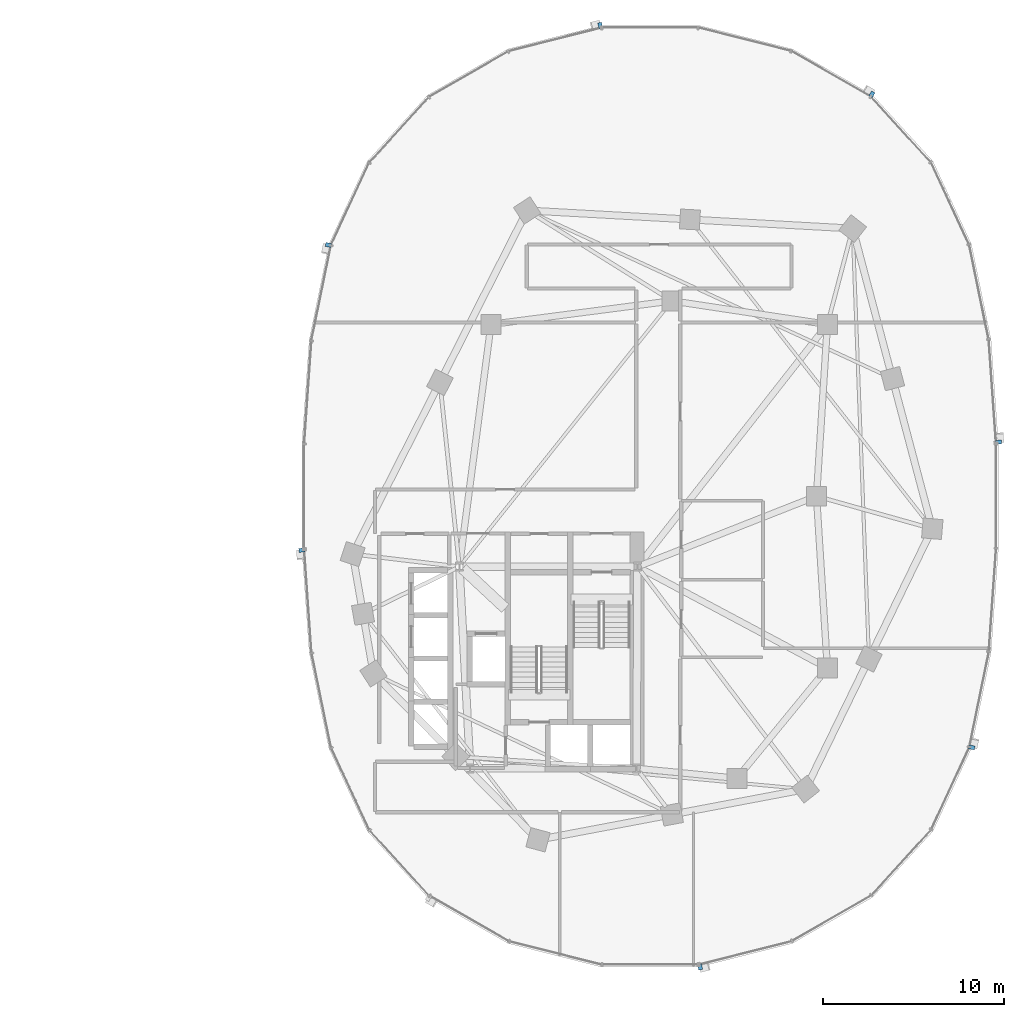
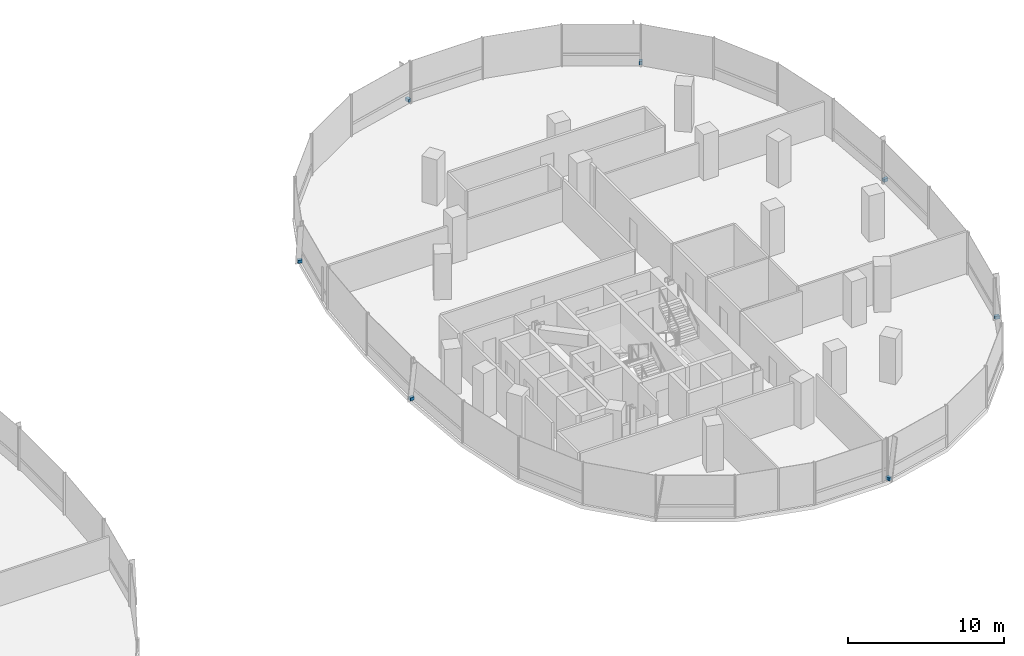
# One storey, part 16 of 21: 7 discrete accessories.
"""IFC4 building model written with IfcOpenShell, lengths in metres."""

import ifcopenshell
import ifcopenshell.guid

model = None  # the IFC model being written
_history = None  # IfcOwnerHistory: only IFC2X3 demands one
_inside = {}  # id of a spatial element -> (the spatial element, [elements in it])
_under = {}  # id of a project, library or spatial element -> (it, [spatial elements below it])
_declared = {}  # id of a project -> (the project, [libraries it declares])
_typed = {}  # id of a type object -> (the type object, [elements of that type])
_made_of = {}  # id of a material, layer set ... -> (it, [elements and type objects made of it])


def new_model(schema):
    """Start an empty IFC model of exactly this schema.

    Asked for "IFC4X3", IfcOpenShell would pick the latest addendum, in which some entities
    have other attributes; the version numbers below select the first issue.
    IFC2X3 requires an IfcOwnerHistory on every rooted entity: one is made here for all.
    """
    global model, _history
    if schema == "IFC4X3":
        model = ifcopenshell.file(schema_version=(4, 3, 0, 0))
    else:
        model = ifcopenshell.file(schema=schema)
    _inside.clear()
    _under.clear()
    _declared.clear()
    _typed.clear()
    _made_of.clear()
    _history = None
    if model.schema == "IFC2X3":
        org = make("IfcOrganization", Name="unknown")
        user = make(
            "IfcPersonAndOrganization",
            ThePerson=make("IfcPerson", FamilyName="unknown"),
            TheOrganization=org,
        )
        app = make(
            "IfcApplication",
            ApplicationDeveloper=org,
            Version="unknown",
            ApplicationFullName="unknown",
            ApplicationIdentifier="unknown",
        )
        _history = make(
            "IfcOwnerHistory",
            OwningUser=user,
            OwningApplication=app,
            ChangeAction="ADDED",
            CreationDate=0,
        )
    return model


def make(cls, **values):
    """One entity of the class cls with the attributes given. An attribute that is None is left unset."""
    return model.create_entity(
        cls, **{name: value for name, value in values.items() if value is not None}
    )


def rooted(cls, **values):
    """An entity with a GlobalId (a new one), such as an element, a storey or a relation."""
    return make(cls, GlobalId=ifcopenshell.guid.new(), OwnerHistory=_history, **values)


def si_unit(unit_type, name, prefix=None):
    """IfcSIUnit, for example si_unit("LENGTHUNIT", "METRE", prefix="MILLI")."""
    return make("IfcSIUnit", UnitType=unit_type, Prefix=prefix, Name=name)


def assignment(units):
    """IfcUnitAssignment: the units of a project."""
    return None if units is None else make("IfcUnitAssignment", Units=units)


def point(xyz):
    """IfcCartesianPoint."""
    return None if xyz is None else make("IfcCartesianPoint", Coordinates=xyz)


def direction(xyz):
    """IfcDirection."""
    return None if xyz is None else make("IfcDirection", DirectionRatios=xyz)


def frame(location, z_axis=None, x_axis=None):
    """IfcAxis2Placement3D, a coordinate frame: its origin and axes. An axis left out is left unset."""
    return make(
        "IfcAxis2Placement3D",
        Location=point(location),
        Axis=direction(z_axis),
        RefDirection=direction(x_axis),
    )


def frame_2d(location, x_axis=None):
    """IfcAxis2Placement2D, a coordinate frame in the plane: its origin and x axis."""
    return make(
        "IfcAxis2Placement2D", Location=point(location), RefDirection=direction(x_axis)
    )


def origin():
    """The frame at (0, 0, 0) with its axes left unset."""
    return frame((0.0, 0.0, 0.0))


def origin_2d():
    """The frame at (0, 0) in the plane with its x axis left unset."""
    return frame_2d((0.0, 0.0))


def place(relative_to, where):
    """IfcLocalPlacement: puts the frame where relative to a parent placement (None: the world)."""
    return make(
        "IfcLocalPlacement", PlacementRelTo=relative_to, RelativePlacement=where
    )


def context(
    kind, dimensions, precision=None, world=None, true_north=None, identifier=None
):
    """IfcGeometricRepresentationContext, for example the 3D "Model" context."""
    return make(
        "IfcGeometricRepresentationContext",
        ContextIdentifier=identifier,
        ContextType=kind,
        CoordinateSpaceDimension=dimensions,
        Precision=precision,
        WorldCoordinateSystem=world,
        TrueNorth=true_north,
    )


def subcontext(parent, identifier, kind, view, scale=None):
    """IfcGeometricRepresentationSubContext, for example "Body" below "Model"."""
    return make(
        "IfcGeometricRepresentationSubContext",
        ContextIdentifier=identifier,
        ContextType=kind,
        ParentContext=parent,
        TargetScale=scale,
        TargetView=view,
    )


def project(units=None, contexts=None):
    """IfcProject with its units and contexts."""
    return rooted(
        "IfcProject",
        Name="project",
        RepresentationContexts=contexts,
        UnitsInContext=assignment(units),
    )


def spatial(cls, under=None, at=None, **own):
    """A site, building, storey or space (cls), placed at a placement, below another one or the project."""
    s = rooted(cls, ObjectPlacement=at, **own)
    if under is not None:
        _under.setdefault(under.id(), (under, []))[1].append(s)
    return s


def profile(cls, at=None, kind="AREA", **sizes):
    """A parametric profile (cls). Its sizes go by their IFC names, for example OverallWidth=200.0."""
    return make(cls, ProfileType=kind, Position=at, **sizes)


def rectangle(**sizes):
    """IfcRectangleProfileDef."""
    return profile("IfcRectangleProfileDef", **sizes)


def extrude(swept, where, along, depth):
    """IfcExtrudedAreaSolid: the profile swept, set in the frame where, extruded along a direction by depth."""
    return make(
        "IfcExtrudedAreaSolid",
        SweptArea=swept,
        Position=where,
        ExtrudedDirection=direction(along),
        Depth=depth,
    )


def shape(context_of_items, identifier, shape_type, items):
    """IfcShapeRepresentation: the items that make up one representation, for example the "Body"."""
    return make(
        "IfcShapeRepresentation",
        ContextOfItems=context_of_items,
        RepresentationIdentifier=identifier,
        RepresentationType=shape_type,
        Items=items,
    )


def material(Name=None, Category=None):
    """IfcMaterial."""
    return make("IfcMaterial", Name=Name, Category=Category)


def made_of(thing, what):
    """Note that an element or type object is made of a material, layer set ...; save() writes the relation."""
    if what is not None:
        _made_of.setdefault(what.id(), (what, []))[1].append(thing)
    return thing


def type_object(cls, material=None, **own):
    """A type object (cls), such as IfcWallType, which elements share."""
    return made_of(rooted(cls, **own), material)


def element(
    cls,
    number,
    at=None,
    inside=None,
    cuts=None,
    type_object=None,
    material=None,
    context=None,
    identifier="Body",
    shape_type=None,
    held_by="IfcProductDefinitionShape",
    body=None,
    shapes=None,
    **own,
):
    """One element of the class cls, such as IfcWall. Its Tag is "e" and its number.

    at: its placement. inside: the storey or other place that contains it. cuts: it is an
    opening in that element (IfcRelVoidsElement). A single representation is given by context,
    identifier, shape_type and body (its items); several are given by shapes. held_by: the class
    of the entity that holds the representations. save() writes the other relations.
    """
    e = rooted(cls, Tag="e%d" % number, ObjectPlacement=at, **own)
    if body is not None:
        shapes = [shape(context, identifier, shape_type, body)]
    if shapes is not None:
        e.Representation = make(held_by, Representations=shapes)
    if inside is not None:
        _inside.setdefault(inside.id(), (inside, []))[1].append(e)
    if cuts is not None:
        rooted(
            "IfcRelVoidsElement", RelatingBuildingElement=cuts, RelatedOpeningElement=e
        )
    if type_object is not None:
        _typed.setdefault(type_object.id(), (type_object, []))[1].append(e)
    return made_of(e, material)


def aggregate(whole, parts):
    """IfcRelAggregates: a whole, such as a stair, and the parts it consists of."""
    return rooted("IfcRelAggregates", RelatingObject=whole, RelatedObjects=parts)


def save(model, path):
    """Write the relations noted so far, then the file.

    IfcRelAggregates (storeys below a building ...), IfcRelContainedInSpatialStructure (elements
    in a storey), IfcRelDefinesByType, IfcRelAssociatesMaterial and IfcRelDeclares: one each for
    every whole, place, type object, material and project.
    """
    for whole, parts in _under.values():
        aggregate(whole, parts)
    for where, things in _inside.values():
        rooted(
            "IfcRelContainedInSpatialStructure",
            RelatedElements=things,
            RelatingStructure=where,
        )
    for kind, things in _typed.values():
        rooted("IfcRelDefinesByType", RelatedObjects=things, RelatingType=kind)
    for what, things in _made_of.values():
        rooted("IfcRelAssociatesMaterial", RelatedObjects=things, RelatingMaterial=what)
    for by, libraries in _declared.values():
        rooted("IfcRelDeclares", RelatingContext=by, RelatedDefinitions=libraries)
    model.write(path)


model = new_model("IFC4")

# Units and contexts
model_context = context("Model", 3, precision=1e-05, world=origin(), true_north=direction((0.0, 1.0)))
body_context = subcontext(model_context, "Body", "Model", "MODEL_VIEW")
ifc_project = project(units=[si_unit("LENGTHUNIT", "METRE"), si_unit("AREAUNIT", "SQUARE_METRE"), si_unit("VOLUMEUNIT", "CUBIC_METRE"), si_unit("PLANEANGLEUNIT", "RADIAN"), si_unit("MASSUNIT", "GRAM", prefix="KILO"), si_unit("THERMODYNAMICTEMPERATUREUNIT", "KELVIN"), si_unit("POWERUNIT", "WATT")], contexts=[model_context])

# Site, building, storey
site_placement = place(None, origin())
site = spatial("IfcSite", under=ifc_project, at=site_placement, CompositionType="ELEMENT")
building_placement = place(site_placement, origin())
building = spatial("IfcBuilding", under=site, at=building_placement, Name="Cundina Bronze Exchange", CompositionType="ELEMENT")
storey_placement = place(building_placement, frame((0.0, 0.0, 110.60009765625)))
storey = spatial("IfcBuildingStorey", under=building, at=storey_placement, Name="L28", CompositionType="ELEMENT", Elevation=110.60009765625)

# Discrete accessories
ifc_material = material(Name="Anodised Bronze Aluminium 6063-T6", Category="aluminium")
discrete_accessory_type = type_object("IfcDiscreteAccessoryType", Name="ACC-BRK-FIN", PredefinedType="BRACKET", material=ifc_material)
for number, where, z_axis, x_axis, name in (
    (1, (51.264404296875, 2.986083984375, 0.10009765625), (0.0, 0.0, 1.0), (-0.070278787473, 0.997527389113, 0.0), "L28 Fin Support Bracket 1"),
    (2, (44.259521484375, 22.21875, 0.10009765625), (0.0, 0.0, 1.0), (-0.867105478933, 0.498124571171, 0.0), "L28 Fin Support Bracket 5"),
    (3, (29.23974609375, 26.03173828125, 0.10009765625), (0.0, 0.0, 1.0), (-0.969488149345, -0.245138182011, 0.0), "L28 Fin Support Bracket 1"),
    (4, (14.211669921875, 13.8896484375, 0.10009765625), (0.0, 0.0, 1.0), (-0.201419845156, -0.979505000486, 0.0), "L28 Fin Support Bracket 5"),
    (5, (12.735595703125, -2.986083984375, 0.10009765625), (0.0, 0.0, 1.0), (0.070278787473, -0.997527389113, 0.0), "L28 Fin Support Bracket 1"),
    (6, (34.76025390625, -26.03173828125, 0.10009765625), (0.0, 0.0, 1.0), (0.969488149345, 0.245138182011, 0.0), "L28 Fin Support Bracket 1"),
    (7, (49.788330078125, -13.8896484375, 0.10009765625), (0.0, 0.0, 1.0), (0.201419845156, 0.979505000486, 0.0), "L28 Fin Support Bracket 5"),
):
    element("IfcDiscreteAccessory", number, at=place(storey_placement, frame(where, z_axis=z_axis, x_axis=x_axis)), inside=storey, type_object=discrete_accessory_type, Name=name, PredefinedType="BRACKET", context=body_context, shape_type="SweptSolid", body=[
        extrude(rectangle(XDim=0.219970703125, YDim=0.320068359375, at=origin_2d()), origin(), (0.0, 0.0, 1.0), 0.239990234375),
    ])

save(model, "model.ifc")
